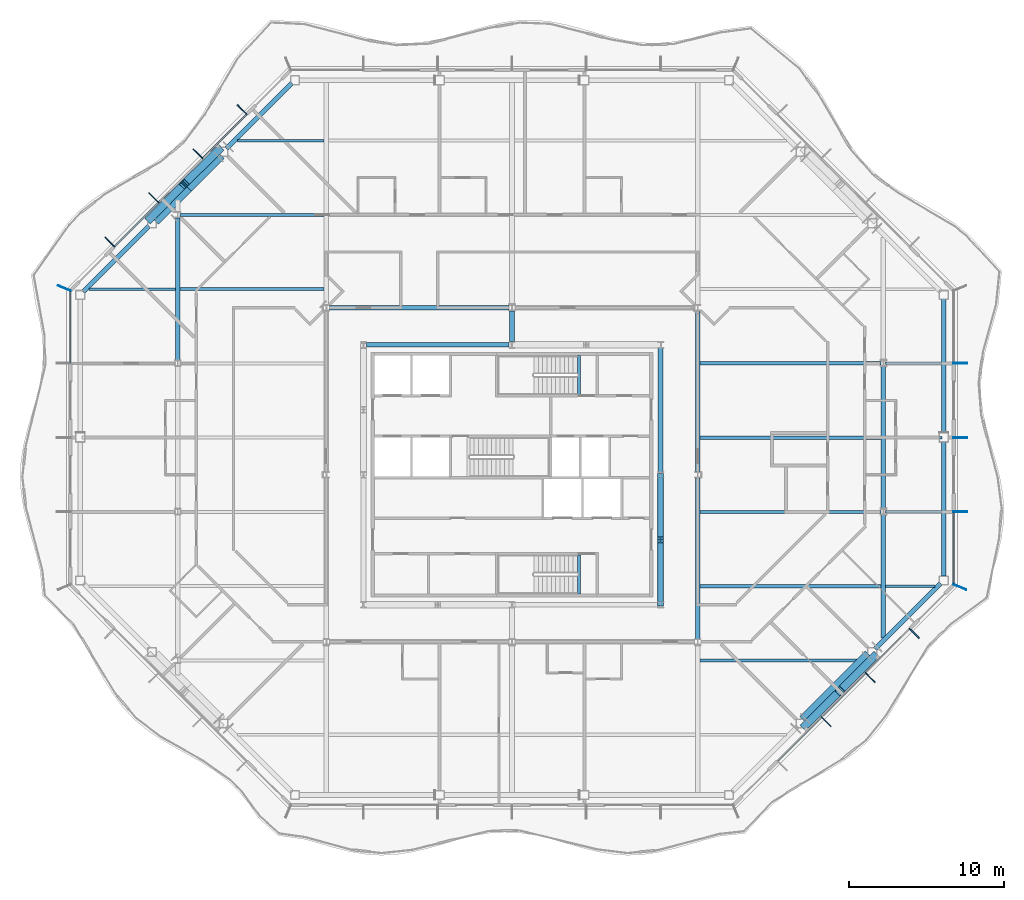
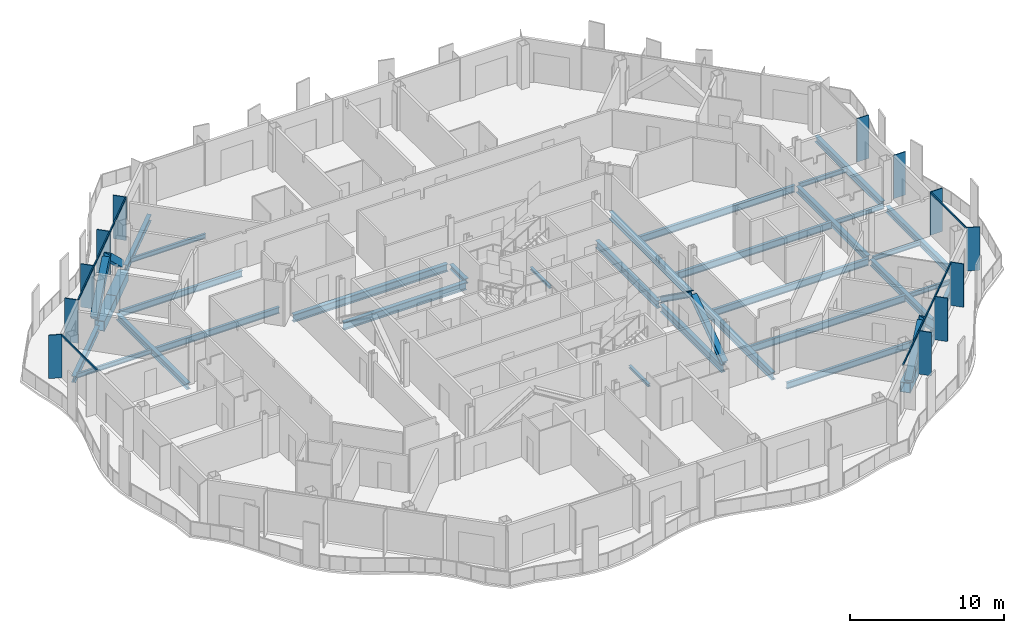
# One storey, part 4 of 21: 34 beams, 26 members, 4 elements without a shape of their own.
"""IFC4 building model written with IfcOpenShell, lengths in metres."""

from ifc_helpers import new_model, si_unit, direction, frame, origin, origin_2d, place, context, subcontext, project, spatial, rectangle, hollow_rectangle, i_section, extrude, material, material_profile, profile_set, type_object, element, aggregate, save


model = new_model("IFC4")

# Units and contexts
model_context = context("Model", 3, precision=1e-05, world=origin(), true_north=direction((0.0, 1.0)))
body_context = subcontext(model_context, "Body", "Model", "MODEL_VIEW")
ifc_project = project(units=[si_unit("LENGTHUNIT", "METRE"), si_unit("AREAUNIT", "SQUARE_METRE"), si_unit("VOLUMEUNIT", "CUBIC_METRE"), si_unit("PLANEANGLEUNIT", "RADIAN"), si_unit("MASSUNIT", "GRAM", prefix="KILO")], contexts=[model_context])

# Site, building, storey
site_placement = place(None, origin())
site = spatial("IfcSite", under=ifc_project, at=site_placement, CompositionType="ELEMENT")
building_placement = place(site_placement, origin())
building = spatial("IfcBuilding", under=site, at=building_placement, Name="Cairn Pilgrim Tower", CompositionType="ELEMENT")
storey_placement = place(building_placement, frame((0.0, 0.0, 157.800048828125)))
storey = spatial("IfcBuildingStorey", under=building, at=storey_placement, Name="L39", CompositionType="ELEMENT", Elevation=157.800048828125)

# Members
ifc_material_1 = material(Name="Structural steel S460M", Category="steel")
ifc_material_profile_1 = material_profile(ifc_material_1, hollow_rectangle(XDim=0.5, YDim=0.5, WallThickness=0.030029296875, at=origin_2d()), Name="BOX 500x500x30")
ifc_profile_set_1 = profile_set([ifc_material_profile_1], Name="Structural steel S460M")
member_type_1 = type_object("IfcMemberType", Name="BOX 500x500x30 BRACE", PredefinedType="BRACE", material=ifc_profile_set_1)
for number, where, z_axis, x_axis, name in (
    (1, (26.097900390625, -13.84326171875, 0.14990234375), (0.540432836476, 0.53283023714, 0.651171473306), (-0.702080283622, 0.712097799006, 0.0), "XB-SE2-SE3-1"),
    (2, (30.643310546875, -9.2978515625, 0.14990234375), (-0.53283023714, -0.540432836476, 0.651171473306), (0.712097799006, -0.702080283622, 0.0), "XB-SE2-SE3-2"),
    (3, (-11.697998046875, 23.443359375, 0.14990234375), (-0.540432836476, -0.53283023714, 0.651171473306), (0.702080283622, -0.712097799006, 0.0), "XB-NW2-NW3-1"),
    (4, (-16.243408203125, 18.89794921875, 0.14990234375), (0.532872437944, 0.54041586551, 0.651151024866), (-0.712058976351, 0.702119658034, 0.0), "XB-NW2-NW3-2"),
):
    element("IfcMember", number, at=place(storey_placement, frame(where, z_axis=z_axis, x_axis=x_axis)), inside=storey, type_object=member_type_1, Name=name, PredefinedType="BRACE", context=body_context, shape_type="SweptSolid", body=[
        extrude(hollow_rectangle(XDim=0.5, YDim=0.5, WallThickness=0.030029296875, at=origin_2d()), origin(), (0.0, 0.0, 1.0), 4.142578125),
    ])

# Beams
ifc_material_2 = material(Name="Structural steel S355J2", Category="steel")
ifc_material_profile_2 = material_profile(ifc_material_2, hollow_rectangle(XDim=0.699951171875, YDim=0.800048828125, WallThickness=0.0400390625, at=origin_2d()), Name="BOX 700x800x40")
ifc_profile_set_2 = profile_set([ifc_material_profile_2], Name="Structural steel S355J2")
beam_type_1 = type_object("IfcBeamType", Name="BOX 700x800x40 RING GIRDER", PredefinedType="SPANDREL", material=ifc_profile_set_2)
for number, where, z_axis, x_axis, name in (
    (5, (26.04248046875, -13.48486328125, -0.550048828125), (0.707066087907, 0.707147472125, 0.0), (-0.707147472125, 0.707066087907, 0.0), "RG2-SE2-SE3-1"),
    (6, (28.16357421875, -11.363525390625, -0.550048828125), (0.707147472125, 0.707066087907, 0.0), (-0.707066087907, 0.707147472125, 0.0), "RG2-SE2-SE3-2"),
    (7, (-11.642333984375, 23.084716796875, -0.550048828125), (-0.707147472125, -0.707066087907, 0.0), (0.707066087907, -0.707147472125, 0.0), "RG2-NW2-NW3-1"),
    (8, (-13.763671875, 20.963623046875, -0.550048828125), (-0.707066087907, -0.707147472125, 0.0), (0.707147472125, -0.707066087907, 0.0), "RG2-NW2-NW3-2"),
):
    element("IfcBeam", number, at=place(storey_placement, frame(where, z_axis=z_axis, x_axis=x_axis)), inside=storey, type_object=beam_type_1, Name=name, PredefinedType="SPANDREL", context=body_context, shape_type="SweptSolid", body=[
        extrude(hollow_rectangle(XDim=0.699951171875, YDim=0.800048828125, WallThickness=0.0400390625, at=origin_2d()), origin(), (0.0, 0.0, 1.0), 2.999755859375),
    ])

# Curtain wall, members
ifc_material_3 = material(Name="Aluminium alloy 6063-T6 bronze anodised with Bronze tinted laminated low-E glass 8+16+8.8", Category="aluminium")
curtain_wall_type_1 = type_object("IfcCurtainWallType", Name="CHAMFER CORNER CURTAIN WALL", PredefinedType="NOTDEFINED", material=ifc_material_3)
curtain_wall_1_placement = place(storey_placement, origin())
curtain_wall_1 = element("IfcCurtainWall", 9, at=curtain_wall_1_placement, inside=storey, type_object=curtain_wall_type_1, Name="Chamfer Corner Curtain Wall SE", PredefinedType="NOTDEFINED")
ifc_material_4 = material(Name="Aluminium alloy 6063-T6 bronze anodised", Category="aluminium")
ifc_material_profile_3 = material_profile(ifc_material_4, rectangle(XDim=0.89990234375, YDim=0.06005859375, at=origin_2d()), Name="FIN MULLION 60x900 BRONZE")
ifc_profile_set_3 = profile_set([ifc_material_profile_3], Name="Aluminium alloy 6063-T6 bronze anodised")
member_type_2 = type_object("IfcMemberType", Name="FIN MULLION 60x900 BRONZE", PredefinedType="MULLION", material=ifc_profile_set_3)
member_1_placement = place(storey_placement, frame((27.494873046875, -13.545654296875, 0.0), z_axis=(0.0, 0.0, 1.0), x_axis=(0.707106781187, -0.707106781187, 0.0)))
member_1 = element("IfcMember", 10, at=member_1_placement, type_object=member_type_2, Name="Fin mullion SE3", PredefinedType="MULLION", context=body_context, shape_type="SweptSolid", body=[
    extrude(rectangle(XDim=0.89990234375, YDim=0.06005859375, at=origin_2d()), origin(), (0.0, 0.0, 1.0), 3.449951171875),
])
member_2_placement = place(storey_placement, frame((30.345458984375, -10.69482421875, 0.0), z_axis=(0.0, 0.0, 1.0), x_axis=(0.707106781187, -0.707106781187, 0.0)))
member_2 = element("IfcMember", 11, at=member_2_placement, type_object=member_type_2, Name="Fin mullion SE4", PredefinedType="MULLION", context=body_context, shape_type="SweptSolid", body=[
    extrude(rectangle(XDim=0.89990234375, YDim=0.06005859375, at=origin_2d()), origin(), (0.0, 0.0, 1.0), 3.449951171875),
])
member_3_placement = place(storey_placement, frame((33.1962890625, -7.84423828125, 0.0), z_axis=(0.0, 0.0, 1.0), x_axis=(0.707106781187, -0.707106781187, 0.0)))
member_3 = element("IfcMember", 12, at=member_3_placement, type_object=member_type_2, Name="Fin mullion SE5", PredefinedType="MULLION", context=body_context, shape_type="SweptSolid", body=[
    extrude(rectangle(XDim=0.89990234375, YDim=0.06005859375, at=origin_2d()), origin(), (0.0, 0.0, 1.0), 3.449951171875),
])

curtain_wall_type_2 = type_object("IfcCurtainWallType", Name="TOWER STICK CURTAIN WALL EW", PredefinedType="NOTDEFINED", material=ifc_material_3)
curtain_wall_2_placement = place(storey_placement, origin())
curtain_wall_2 = element("IfcCurtainWall", 13, at=curtain_wall_2_placement, inside=storey, type_object=curtain_wall_type_2, Name="Tower Stick Curtain Wall Ew E", PredefinedType="NOTDEFINED")
member_4_placement = place(storey_placement, frame((36.137939453125, -4.857177734375, 0.0), z_axis=(0.0, 0.0, 1.0), x_axis=(0.923879532511, -0.382683432365, 0.0)))
member_4 = element("IfcMember", 14, at=member_4_placement, type_object=member_type_2, Name="Fin mullion E1", PredefinedType="MULLION", context=body_context, shape_type="SweptSolid", body=[
    extrude(rectangle(XDim=0.89990234375, YDim=0.06005859375, at=origin_2d()), origin(), (0.0, 0.0, 1.0), 3.449951171875),
])
member_5_placement = place(storey_placement, frame((36.169921875, 0.0, 0.0), z_axis=(0.0, 0.0, 1.0), x_axis=(1.0, 0.0, 0.0)))
member_5 = element("IfcMember", 15, at=member_5_placement, type_object=member_type_2, Name="Fin mullion E2", PredefinedType="MULLION", context=body_context, shape_type="SweptSolid", body=[
    extrude(rectangle(XDim=0.89990234375, YDim=0.06005859375, at=origin_2d()), origin(), (0.0, 0.0, 1.0), 3.449951171875),
])
member_6_placement = place(storey_placement, frame((36.169921875, 4.800048828125, 0.0), z_axis=(0.0, 0.0, 1.0), x_axis=(1.0, 0.0, 0.0)))
member_6 = element("IfcMember", 16, at=member_6_placement, type_object=member_type_2, Name="Fin mullion E3", PredefinedType="MULLION", context=body_context, shape_type="SweptSolid", body=[
    extrude(rectangle(XDim=0.89990234375, YDim=0.06005859375, at=origin_2d()), origin(), (0.0, 0.0, 1.0), 3.449951171875),
])
member_7_placement = place(storey_placement, frame((36.169921875, 9.60009765625, 0.0), z_axis=(0.0, 0.0, 1.0), x_axis=(1.0, 0.0, 0.0)))
member_7 = element("IfcMember", 17, at=member_7_placement, type_object=member_type_2, Name="Fin mullion E4", PredefinedType="MULLION", context=body_context, shape_type="SweptSolid", body=[
    extrude(rectangle(XDim=0.89990234375, YDim=0.06005859375, at=origin_2d()), origin(), (0.0, 0.0, 1.0), 3.449951171875),
])

curtain_wall_3_placement = place(storey_placement, origin())
curtain_wall_3 = element("IfcCurtainWall", 18, at=curtain_wall_3_placement, inside=storey, type_object=curtain_wall_type_1, Name="Chamfer Corner Curtain Wall NW", PredefinedType="NOTDEFINED")
member_8_placement = place(storey_placement, frame((-10.244140625, 25.996337890625, 0.0), z_axis=(0.0, 0.0, 1.0), x_axis=(-0.707106781187, 0.707106781187, 0.0)))
member_8 = element("IfcMember", 19, at=member_8_placement, type_object=member_type_2, Name="Fin mullion NW2", PredefinedType="MULLION", context=body_context, shape_type="SweptSolid", body=[
    extrude(rectangle(XDim=0.89990234375, YDim=0.06005859375, at=origin_2d()), origin(), (0.0, 0.0, 1.0), 3.449951171875),
])
member_9_placement = place(storey_placement, frame((-13.094970703125, 23.1455078125, 0.0), z_axis=(0.0, 0.0, 1.0), x_axis=(-0.707106781187, 0.707106781187, 0.0)))
member_9 = element("IfcMember", 20, at=member_9_placement, type_object=member_type_2, Name="Fin mullion NW3", PredefinedType="MULLION", context=body_context, shape_type="SweptSolid", body=[
    extrude(rectangle(XDim=0.89990234375, YDim=0.06005859375, at=origin_2d()), origin(), (0.0, 0.0, 1.0), 3.449951171875),
])
member_10_placement = place(storey_placement, frame((-15.945556640625, 20.294921875, 0.0), z_axis=(0.0, 0.0, 1.0), x_axis=(-0.707106781187, 0.707106781187, 0.0)))
member_10 = element("IfcMember", 21, at=member_10_placement, type_object=member_type_2, Name="Fin mullion NW4", PredefinedType="MULLION", context=body_context, shape_type="SweptSolid", body=[
    extrude(rectangle(XDim=0.89990234375, YDim=0.06005859375, at=origin_2d()), origin(), (0.0, 0.0, 1.0), 3.449951171875),
])
member_11_placement = place(storey_placement, frame((-18.79638671875, 17.444091796875, 0.0), z_axis=(0.0, 0.0, 1.0), x_axis=(-0.707106781187, 0.707106781187, 0.0)))
member_11 = element("IfcMember", 22, at=member_11_placement, type_object=member_type_2, Name="Fin mullion NW5", PredefinedType="MULLION", context=body_context, shape_type="SweptSolid", body=[
    extrude(rectangle(XDim=0.89990234375, YDim=0.06005859375, at=origin_2d()), origin(), (0.0, 0.0, 1.0), 3.449951171875),
])

# Curtain wall, member
curtain_wall_4_placement = place(storey_placement, origin())
curtain_wall_4 = element("IfcCurtainWall", 23, at=curtain_wall_4_placement, inside=storey, type_object=curtain_wall_type_2, Name="Tower Stick Curtain Wall Ew W", PredefinedType="NOTDEFINED")
member_12_placement = place(storey_placement, frame((-21.738037109375, 14.457275390625, 0.0), z_axis=(0.0, 0.0, 1.0), x_axis=(-0.923879532511, 0.382683432365, 0.0)))
member_12 = element("IfcMember", 24, at=member_12_placement, type_object=member_type_2, Name="Fin mullion W1", PredefinedType="MULLION", context=body_context, shape_type="SweptSolid", body=[
    extrude(rectangle(XDim=0.89990234375, YDim=0.06005859375, at=origin_2d()), origin(), (0.0, 0.0, 1.0), 3.449951171875),
])

# Members
ifc_material_profile_4 = material_profile(ifc_material_1, i_section(OverallWidth=0.408935546875, OverallDepth=0.425048828125, WebThickness=0.03271484375, FlangeThickness=0.052490234375, FilletRadius=0.014892578125, at=origin_2d()), Name="HD 400x421")
ifc_profile_set_4 = profile_set([ifc_material_profile_4], Name="Structural steel S460M")
member_type_3 = type_object("IfcMemberType", Name="HD 400x421 BRACE", PredefinedType="BRACE", material=ifc_profile_set_4)
member_13_placement = place(storey_placement, frame((16.800048828125, -5.95849609375, 0.099853515625), z_axis=(0.0, 0.814346882511, 0.580378458373), x_axis=(-1.0, 0.0, 0.0)))
element("IfcMember", 25, at=member_13_placement, inside=storey, type_object=member_type_3, Name="KB-2A", PredefinedType="BRACE", context=body_context, shape_type="SweptSolid", body=[
    extrude(i_section(OverallWidth=0.408935546875, OverallDepth=0.425048828125, WebThickness=0.03271484375, FlangeThickness=0.052490234375, FilletRadius=0.014892578125, at=origin_2d()), origin(), (0.0, 0.0, 1.0), 4.998291015625),
])
member_14_placement = place(storey_placement, frame((16.800048828125, 2.3583984375, 0.099853515625), z_axis=(0.0, -0.81433042856, 0.580401544727), x_axis=(1.0, 0.0, 0.0)))
element("IfcMember", 26, at=member_14_placement, inside=storey, type_object=member_type_3, Name="KB-2B", PredefinedType="BRACE", context=body_context, shape_type="SweptSolid", body=[
    extrude(i_section(OverallWidth=0.408935546875, OverallDepth=0.425048828125, WebThickness=0.03271484375, FlangeThickness=0.052490234375, FilletRadius=0.014892578125, at=origin_2d()), origin(), (0.0, 0.0, 1.0), 4.998046875),
])

# Beams
ifc_material_profile_5 = material_profile(ifc_material_2, i_section(OverallWidth=0.300048828125, OverallDepth=0.39990234375, WebThickness=0.013427734375, FlangeThickness=0.02392578125, FilletRadius=0.027099609375, at=origin_2d()), Name="HEB 400")
ifc_profile_set_5 = profile_set([ifc_material_profile_5], Name="Structural steel S355J2")
beam_type_2 = type_object("IfcBeamType", Name="HEB 400 GIRDER", PredefinedType="BEAM", material=ifc_profile_set_5)
beam_1_placement = place(storey_placement, frame((7.199951171875, 11.008056640625, -0.35009765625), z_axis=(0.0, 1.0, 0.0), x_axis=(-1.0, 0.0, 0.0)))
element("IfcBeam", 27, at=beam_1_placement, inside=storey, type_object=beam_type_2, Name="PG3-E2", PredefinedType="BEAM", context=body_context, shape_type="SweptSolid", body=[
    extrude(i_section(OverallWidth=0.300048828125, OverallDepth=0.39990234375, WebThickness=0.013427734375, FlangeThickness=0.02392578125, FilletRadius=0.027099609375, at=origin_2d()), origin(), (0.0, 0.0, 1.0), 1.992431640625),
])
ifc_material_profile_6 = material_profile(ifc_material_2, i_section(OverallWidth=0.300048828125, OverallDepth=0.5, WebThickness=0.014404296875, FlangeThickness=0.028076171875, FilletRadius=0.027099609375, at=origin_2d()), Name="HEB 500")
ifc_profile_set_6 = profile_set([ifc_material_profile_6], Name="Structural steel S355J2")
beam_type_3 = type_object("IfcBeamType", Name="HEB 500 GIRDER", PredefinedType="BEAM", material=ifc_profile_set_6)
beam_2_placement = place(storey_placement, frame((-14.39990234375, 9.799560546875, -0.400146484375), z_axis=(0.0, 1.0, 0.0), x_axis=(-1.0, 0.0, 0.0)))
element("IfcBeam", 28, at=beam_2_placement, inside=storey, type_object=beam_type_3, Name="PG1-3", PredefinedType="BEAM", context=body_context, shape_type="SweptSolid", body=[
    extrude(i_section(OverallWidth=0.300048828125, OverallDepth=0.5, WebThickness=0.014404296875, FlangeThickness=0.028076171875, FilletRadius=0.027099609375, at=origin_2d()), origin(), (0.0, 0.0, 1.0), 9.200927734375),
])
beam_3_placement = place(storey_placement, frame((31.199951171875, -8.14501953125, -0.400146484375), z_axis=(0.0, 1.0, 0.0), x_axis=(-1.0, 0.0, 0.0)))
element("IfcBeam", 29, at=beam_3_placement, inside=storey, type_object=beam_type_3, Name="PG5-1", PredefinedType="BEAM", context=body_context, shape_type="SweptSolid", body=[
    extrude(i_section(OverallWidth=0.300048828125, OverallDepth=0.5, WebThickness=0.014404296875, FlangeThickness=0.028076171875, FilletRadius=0.027099609375, at=origin_2d()), origin(), (0.0, 0.0, 1.0), 7.9404296875),
])
beam_4_placement = place(storey_placement, frame((31.199951171875, 0.20458984375, -0.400146484375), z_axis=(0.0, 1.0, 0.0), x_axis=(-1.0, 0.0, 0.0)))
element("IfcBeam", 30, at=beam_4_placement, inside=storey, type_object=beam_type_3, Name="PG5-2", PredefinedType="BEAM", context=body_context, shape_type="SweptSolid", body=[
    extrude(i_section(OverallWidth=0.300048828125, OverallDepth=0.5, WebThickness=0.014404296875, FlangeThickness=0.028076171875, FilletRadius=0.027099609375, at=origin_2d()), origin(), (0.0, 0.0, 1.0), 9.19091796875),
])
ifc_material_profile_7 = material_profile(ifc_material_2, i_section(OverallWidth=0.300048828125, OverallDepth=0.5, WebThickness=0.014404296875, FlangeThickness=0.028076171875, FilletRadius=0.027099609375, at=origin_2d()), Name="HEB 500")
ifc_profile_set_7 = profile_set([ifc_material_profile_7], Name="Structural steel S355J2")
beam_type_4 = type_object("IfcBeamType", Name="HEB 500 RING GIRDER", PredefinedType="SPANDREL", material=ifc_profile_set_7)
beam_5_placement = place(storey_placement, frame((30.666748046875, -8.860595703125, -0.400146484375), z_axis=(0.707106781187, 0.707106781187, 0.0), x_axis=(-0.707106781187, 0.707106781187, 0.0)))
element("IfcBeam", 31, at=beam_5_placement, inside=storey, type_object=beam_type_4, Name="RG2-SE3-E1", PredefinedType="SPANDREL", context=body_context, shape_type="SweptSolid", body=[
    extrude(i_section(OverallWidth=0.300048828125, OverallDepth=0.5, WebThickness=0.014404296875, FlangeThickness=0.028076171875, FilletRadius=0.027099609375, at=origin_2d()), origin(), (0.0, 0.0, 1.0), 5.999755859375),
])
beam_6_placement = place(storey_placement, frame((35.10009765625, -4.1572265625, -0.400146484375), z_axis=(0.0, 1.0, 0.0), x_axis=(-1.0, 0.0, 0.0)))
element("IfcBeam", 32, at=beam_6_placement, inside=storey, type_object=beam_type_4, Name="RG2-E1-E2", PredefinedType="SPANDREL", context=body_context, shape_type="SweptSolid", body=[
    extrude(i_section(OverallWidth=0.300048828125, OverallDepth=0.5, WebThickness=0.014404296875, FlangeThickness=0.028076171875, FilletRadius=0.027099609375, at=origin_2d()), origin(), (0.0, 0.0, 1.0), 8.687255859375),
])
beam_7_placement = place(storey_placement, frame((35.10009765625, 5.070068359375, -0.400146484375), z_axis=(0.0, 1.0, 0.0), x_axis=(-1.0, 0.0, 0.0)))
element("IfcBeam", 33, at=beam_7_placement, inside=storey, type_object=beam_type_4, Name="RG2-E2-NE1", PredefinedType="SPANDREL", context=body_context, shape_type="SweptSolid", body=[
    extrude(i_section(OverallWidth=0.300048828125, OverallDepth=0.5, WebThickness=0.014404296875, FlangeThickness=0.028076171875, FilletRadius=0.027099609375, at=origin_2d()), origin(), (0.0, 0.0, 1.0), 8.68701171875),
])
beam_8_placement = place(storey_placement, frame((-7.01806640625, 27.708984375, -0.400146484375), z_axis=(-0.707127127534, -0.707086434254, 0.0), x_axis=(0.707086434254, -0.707127127534, 0.0)))
element("IfcBeam", 34, at=beam_8_placement, inside=storey, type_object=beam_type_4, Name="RG2-NW1-NW2", PredefinedType="SPANDREL", context=body_context, shape_type="SweptSolid", body=[
    extrude(i_section(OverallWidth=0.300048828125, OverallDepth=0.5, WebThickness=0.014404296875, FlangeThickness=0.028076171875, FilletRadius=0.027099609375, at=origin_2d()), origin(), (0.0, 0.0, 1.0), 5.99951171875),
])
beam_9_placement = place(storey_placement, frame((-16.2666015625, 18.460693359375, -0.400146484375), z_axis=(-0.707086435425, -0.707127126363, 0.0), x_axis=(0.707127126363, -0.707086435425, 0.0)))
element("IfcBeam", 35, at=beam_9_placement, inside=storey, type_object=beam_type_4, Name="RG2-NW3-W1", PredefinedType="SPANDREL", context=body_context, shape_type="SweptSolid", body=[
    extrude(i_section(OverallWidth=0.300048828125, OverallDepth=0.5, WebThickness=0.014404296875, FlangeThickness=0.028076171875, FilletRadius=0.027099609375, at=origin_2d()), origin(), (0.0, 0.0, 1.0), 5.999755859375),
])
ifc_material_profile_8 = material_profile(ifc_material_2, i_section(OverallWidth=0.300048828125, OverallDepth=0.60009765625, WebThickness=0.015380859375, FlangeThickness=0.030029296875, FilletRadius=0.027099609375, at=origin_2d()), Name="HEB 600")
ifc_profile_set_8 = profile_set([ifc_material_profile_8], Name="Structural steel S355J2")
beam_type_5 = type_object("IfcBeamType", Name="HEB 600 CORE BEAM", PredefinedType="BEAM", material=ifc_profile_set_8)
for number, where, z_axis, x_axis, name in (
    (36, (16.800048828125, -5.812744140625, -0.449951171875), (0.0, 1.0, 0.0), (-1.0, 0.0, 0.0), "CB-3"),
    (37, (16.800048828125, 2.587158203125, -0.449951171875), (0.0, 1.0, 0.0), (-1.0, 0.0, 0.0), "CB-4"),
):
    element("IfcBeam", number, at=place(storey_placement, frame(where, z_axis=z_axis, x_axis=x_axis)), inside=storey, type_object=beam_type_5, Name=name, PredefinedType="BEAM", context=body_context, shape_type="SweptSolid", body=[
        extrude(i_section(OverallWidth=0.300048828125, OverallDepth=0.60009765625, WebThickness=0.015380859375, FlangeThickness=0.030029296875, FilletRadius=0.027099609375, at=origin_2d()), origin(), (0.0, 0.0, 1.0), 8.025634765625),
    ])
beam_10_placement = place(storey_placement, frame((7.0126953125, 10.800048828125, -0.449951171875), z_axis=(-1.0, 0.0, 0.0), x_axis=(0.0, -1.0, 0.0)))
element("IfcBeam", 38, at=beam_10_placement, inside=storey, type_object=beam_type_5, Name="CB-6", PredefinedType="BEAM", context=body_context, shape_type="SweptSolid", body=[
    extrude(i_section(OverallWidth=0.300048828125, OverallDepth=0.60009765625, WebThickness=0.015380859375, FlangeThickness=0.030029296875, FilletRadius=0.027099609375, at=origin_2d()), origin(), (0.0, 0.0, 1.0), 9.2255859375),
])
ifc_material_profile_9 = material_profile(ifc_material_2, i_section(OverallWidth=0.300048828125, OverallDepth=0.60009765625, WebThickness=0.015380859375, FlangeThickness=0.030029296875, FilletRadius=0.027099609375, at=origin_2d()), Name="HEB 600")
ifc_profile_set_9 = profile_set([ifc_material_profile_9], Name="Structural steel S355J2")
beam_type_6 = type_object("IfcBeamType", Name="HEB 600 GIRDER", PredefinedType="BEAM", material=ifc_profile_set_9)
for number, where, z_axis, x_axis, name in (
    (39, (19.199951171875, -8.200439453125, -0.449951171875), (0.0, 1.0, 0.0), (-1.0, 0.0, 0.0), "PG4-2"),
    (40, (19.199951171875, 2.599609375, -0.449951171875), (0.0, 1.0, 0.0), (-1.0, 0.0, 0.0), "PG4-3"),
):
    element("IfcBeam", number, at=place(storey_placement, frame(where, z_axis=z_axis, x_axis=x_axis)), inside=storey, type_object=beam_type_6, Name=name, PredefinedType="BEAM", context=body_context, shape_type="SweptSolid", body=[
        extrude(i_section(OverallWidth=0.300048828125, OverallDepth=0.60009765625, WebThickness=0.015380859375, FlangeThickness=0.030029296875, FilletRadius=0.027099609375, at=origin_2d()), origin(), (0.0, 0.0, 1.0), 10.40087890625),
    ])
ifc_material_profile_10 = material_profile(ifc_material_2, i_section(OverallWidth=0.300048828125, OverallDepth=0.60009765625, WebThickness=0.015380859375, FlangeThickness=0.030029296875, FilletRadius=0.027099609375, at=origin_2d()), Name="HEB 600")
ifc_profile_set_10 = profile_set([ifc_material_profile_10], Name="Structural steel S355J2")
beam_type_7 = type_object("IfcBeamType", Name="HEB 600 INNER GIRDER", PredefinedType="BEAM", material=ifc_profile_set_10)
beam_11_placement = place(storey_placement, frame((-4.6005859375, 13.199951171875, -0.449951171875), z_axis=(1.0, 0.0, 0.0), x_axis=(0.0, 1.0, 0.0)))
element("IfcBeam", 41, at=beam_11_placement, inside=storey, type_object=beam_type_7, Name="IG2-1", PredefinedType="BEAM", context=body_context, shape_type="SweptSolid", body=[
    extrude(i_section(OverallWidth=0.300048828125, OverallDepth=0.60009765625, WebThickness=0.015380859375, FlangeThickness=0.030029296875, FilletRadius=0.027099609375, at=origin_2d()), origin(), (0.0, 0.0, 1.0), 11.60107421875),
])
ifc_material_profile_11 = material_profile(ifc_material_2, i_section(OverallWidth=0.169921875, OverallDepth=0.360107421875, WebThickness=0.008056640625, FlangeThickness=0.0126953125, FilletRadius=0.01806640625, at=origin_2d()), Name="IPE 360")
ifc_profile_set_11 = profile_set([ifc_material_profile_11], Name="Structural steel S355J2")
beam_type_8 = type_object("IfcBeamType", Name="IPE 360 SECONDARY BEAM", PredefinedType="JOIST", material=ifc_profile_set_11)
beam_12_placement = place(storey_placement, frame((31.35009765625, -4.800048828125, -0.330078125), z_axis=(1.0, 0.0, 0.0), x_axis=(0.0, 1.0, 0.0)))
element("IfcBeam", 42, at=beam_12_placement, inside=storey, type_object=beam_type_8, Name="SB3-4", PredefinedType="JOIST", context=body_context, shape_type="SweptSolid", body=[
    extrude(i_section(OverallWidth=0.169921875, OverallDepth=0.360107421875, WebThickness=0.008056640625, FlangeThickness=0.0126953125, FilletRadius=0.01806640625, at=origin_2d()), origin(), (0.0, 0.0, 1.0), 3.195068359375),
])
for number, where, z_axis, x_axis, name in (
    (43, (31.35009765625, 0.0, -0.330078125), (1.0, 0.0, 0.0), (0.0, 1.0, 0.0), "SB4-4"),
    (44, (31.35009765625, 4.800048828125, -0.330078125), (1.0, 0.0, 0.0), (0.0, 1.0, 0.0), "SB5-4"),
    (45, (31.35009765625, 9.60009765625, -0.330078125), (1.0, 0.0, 0.0), (0.0, 1.0, 0.0), "SB6-4"),
):
    element("IfcBeam", number, at=place(storey_placement, frame(where, z_axis=z_axis, x_axis=x_axis)), inside=storey, type_object=beam_type_8, Name=name, PredefinedType="JOIST", context=body_context, shape_type="SweptSolid", body=[
        extrude(i_section(OverallWidth=0.169921875, OverallDepth=0.360107421875, WebThickness=0.008056640625, FlangeThickness=0.0126953125, FilletRadius=0.01806640625, at=origin_2d()), origin(), (0.0, 0.0, 1.0), 3.6298828125),
    ])
beam_13_placement = place(storey_placement, frame((-20.14501953125, 14.39990234375, -0.330078125), z_axis=(1.0, 0.0, 0.0), x_axis=(0.0, 1.0, 0.0)))
element("IfcBeam", 46, at=beam_13_placement, inside=storey, type_object=beam_type_8, Name="SB7-1", PredefinedType="JOIST", context=body_context, shape_type="SweptSolid", body=[
    extrude(i_section(OverallWidth=0.169921875, OverallDepth=0.360107421875, WebThickness=0.008056640625, FlangeThickness=0.0126953125, FilletRadius=0.01806640625, at=origin_2d()), origin(), (0.0, 0.0, 1.0), 5.594970703125),
])
beam_14_placement = place(storey_placement, frame((-10.545166015625, 24.0, -0.330078125), z_axis=(1.0, 0.0, 0.0), x_axis=(0.0, 1.0, 0.0)))
element("IfcBeam", 47, at=beam_14_placement, inside=storey, type_object=beam_type_8, Name="SB9-1", PredefinedType="JOIST", context=body_context, shape_type="SweptSolid", body=[
    extrude(i_section(OverallWidth=0.169921875, OverallDepth=0.360107421875, WebThickness=0.008056640625, FlangeThickness=0.0126953125, FilletRadius=0.01806640625, at=origin_2d()), origin(), (0.0, 0.0, 1.0), 5.59521484375),
])
ifc_material_profile_12 = material_profile(ifc_material_2, i_section(OverallWidth=0.199951171875, OverallDepth=0.5, WebThickness=0.01025390625, FlangeThickness=0.01611328125, FilletRadius=0.02099609375, at=origin_2d()), Name="IPE 500")
ifc_profile_set_12 = profile_set([ifc_material_profile_12], Name="Structural steel S355J2")
beam_type_9 = type_object("IfcBeamType", Name="IPE 500 SECONDARY BEAM", PredefinedType="JOIST", material=ifc_profile_set_12)
beam_15_placement = place(storey_placement, frame((19.35009765625, -9.60009765625, -0.400146484375), z_axis=(1.0, 0.0, 0.0), x_axis=(0.0, 1.0, 0.0)))
element("IfcBeam", 48, at=beam_15_placement, inside=storey, type_object=beam_type_9, Name="SB2-2", PredefinedType="JOIST", context=body_context, shape_type="SweptSolid", body=[
    extrude(i_section(OverallWidth=0.199951171875, OverallDepth=0.5, WebThickness=0.01025390625, FlangeThickness=0.01611328125, FilletRadius=0.02099609375, at=origin_2d()), origin(), (0.0, 0.0, 1.0), 10.39501953125),
])
for number, where, z_axis, x_axis, name in (
    (49, (-14.25, 14.39990234375, -0.400146484375), (1.0, 0.0, 0.0), (0.0, 1.0, 0.0), "SB7-2"),
    (50, (-14.25, 19.199951171875, -0.400146484375), (1.0, 0.0, 0.0), (0.0, 1.0, 0.0), "SB8-1"),
):
    element("IfcBeam", number, at=place(storey_placement, frame(where, z_axis=z_axis, x_axis=x_axis)), inside=storey, type_object=beam_type_9, Name=name, PredefinedType="JOIST", context=body_context, shape_type="SweptSolid", body=[
        extrude(i_section(OverallWidth=0.199951171875, OverallDepth=0.5, WebThickness=0.01025390625, FlangeThickness=0.01611328125, FilletRadius=0.02099609375, at=origin_2d()), origin(), (0.0, 0.0, 1.0), 9.300048828125),
    ])
ifc_material_profile_13 = material_profile(ifc_material_2, i_section(OverallWidth=0.2099609375, OverallDepth=0.550048828125, WebThickness=0.010986328125, FlangeThickness=0.01708984375, FilletRadius=0.02392578125, at=origin_2d()), Name="IPE 550")
ifc_profile_set_13 = profile_set([ifc_material_profile_13], Name="Structural steel S355J2")
beam_type_10 = type_object("IfcBeamType", Name="IPE 550 SECONDARY BEAM", PredefinedType="JOIST", material=ifc_profile_set_13)
for number, where, z_axis, x_axis, name in (
    (51, (19.35009765625, -4.800048828125, -0.425048828125), (1.0, 0.0, 0.0), (0.0, 1.0, 0.0), "SB3-3"),
    (52, (19.35009765625, 0.0, -0.425048828125), (1.0, 0.0, 0.0), (0.0, 1.0, 0.0), "SB4-3"),
    (53, (19.35009765625, 4.800048828125, -0.425048828125), (1.0, 0.0, 0.0), (0.0, 1.0, 0.0), "SB5-3"),
    (54, (19.35009765625, 9.60009765625, -0.425048828125), (1.0, 0.0, 0.0), (0.0, 1.0, 0.0), "SB6-3"),
):
    element("IfcBeam", number, at=place(storey_placement, frame(where, z_axis=z_axis, x_axis=x_axis)), inside=storey, type_object=beam_type_10, Name=name, PredefinedType="JOIST", context=body_context, shape_type="SweptSolid", body=[
        extrude(i_section(OverallWidth=0.2099609375, OverallDepth=0.550048828125, WebThickness=0.010986328125, FlangeThickness=0.01708984375, FilletRadius=0.02392578125, at=origin_2d()), origin(), (0.0, 0.0, 1.0), 11.699951171875),
    ])
ifc_material_profile_14 = material_profile(ifc_material_2, i_section(OverallWidth=0.199951171875, OverallDepth=0.199951171875, WebThickness=0.009033203125, FlangeThickness=0.014892578125, FilletRadius=0.01806640625, at=origin_2d()), Name="HE 200 B")
ifc_profile_set_14 = profile_set([ifc_material_profile_14], Name="Structural steel S355J2")
beam_type_11 = type_object("IfcBeamType", Name="STAIR LANDING BEAM HE 200 B", PredefinedType="BEAM", material=ifc_profile_set_14)
for number, where, z_axis, x_axis, name in (
    (55, (11.5244140625, -2.77490234375, -0.25), (0.0, -1.0, 0.0), (1.0, 0.0, 0.0), "STAIR LANDING BEAM LD-HE200B"),
    (56, (11.5244140625, 10.10009765625, -0.25), (0.0, -1.0, 0.0), (1.0, 0.0, 0.0), "STAIR LANDING BEAM LD-HE200B"),
):
    element("IfcBeam", number, at=place(storey_placement, frame(where, z_axis=z_axis, x_axis=x_axis)), inside=storey, type_object=beam_type_11, Name=name, PredefinedType="BEAM", context=body_context, shape_type="SweptSolid", body=[
        extrude(i_section(OverallWidth=0.199951171875, OverallDepth=0.199951171875, WebThickness=0.009033203125, FlangeThickness=0.014892578125, FilletRadius=0.01806640625, at=origin_2d()), origin(), (0.0, 0.0, 1.0), 2.525146484375),
    ])

# Member
ifc_material_profile_15 = material_profile(ifc_material_4, rectangle(XDim=0.080078125, YDim=0.14990234375, at=origin_2d()), Name="TRANSOM 80x150 BRONZE")
ifc_profile_set_15 = profile_set([ifc_material_profile_15], Name="Aluminium alloy 6063-T6 bronze anodised")
member_type_4 = type_object("IfcMemberType", Name="TRANSOM 80x150 BRONZE", PredefinedType="USERDEFINED", material=ifc_profile_set_15)
member_15_placement = place(storey_placement, frame((24.368408203125, -16.078125, 3.375), z_axis=(0.707106781187, 0.707106781187, 0.0), x_axis=(-0.707106781187, 0.707106781187, 0.0)))
member_15 = element("IfcMember", 57, at=member_15_placement, type_object=member_type_4, Name="Transom SE2", ObjectType="TRANSOM", PredefinedType="USERDEFINED", context=body_context, shape_type="SweptSolid", body=[
    extrude(rectangle(XDim=0.080078125, YDim=0.14990234375, at=origin_2d()), origin(), (0.0, 0.0, 1.0), 3.9716796875),
])

member_16_placement = place(storey_placement, frame((27.218994140625, -13.227294921875, 3.375), z_axis=(0.70713751761, 0.707076043427, 0.0), x_axis=(-0.707076043427, 0.70713751761, 0.0)))
member_16 = element("IfcMember", 58, at=member_16_placement, type_object=member_type_4, Name="Transom SE3", ObjectType="TRANSOM", PredefinedType="USERDEFINED", context=body_context, shape_type="SweptSolid", body=[
    extrude(rectangle(XDim=0.080078125, YDim=0.14990234375, at=origin_2d()), origin(), (0.0, 0.0, 1.0), 3.971435546875),
])

member_17_placement = place(storey_placement, frame((30.06982421875, -10.376708984375, 3.375), z_axis=(0.707106781187, 0.707106781187, 0.0), x_axis=(-0.707106781187, 0.707106781187, 0.0)))
member_17 = element("IfcMember", 59, at=member_17_placement, type_object=member_type_4, Name="Transom SE4", ObjectType="TRANSOM", PredefinedType="USERDEFINED", context=body_context, shape_type="SweptSolid", body=[
    extrude(rectangle(XDim=0.080078125, YDim=0.14990234375, at=origin_2d()), origin(), (0.0, 0.0, 1.0), 3.9716796875),
])

aggregate(curtain_wall_1, [member_1, member_2, member_3, member_15, member_16, member_17])

member_18_placement = place(storey_placement, frame((35.75, -4.656494140625, 3.375), z_axis=(0.0, 1.0, 0.0), x_axis=(-1.0, 0.0, 0.0)))
member_18 = element("IfcMember", 60, at=member_18_placement, type_object=member_type_4, Name="Transom E1", ObjectType="TRANSOM", PredefinedType="USERDEFINED", context=body_context, shape_type="SweptSolid", body=[
    extrude(rectangle(XDim=0.080078125, YDim=0.14990234375, at=origin_2d()), origin(), (0.0, 0.0, 1.0), 4.62646484375),
])

aggregate(curtain_wall_2, [member_4, member_5, member_6, member_7, member_18])

member_19_placement = place(storey_placement, frame((-9.96826171875, 25.677978515625, 3.375), z_axis=(-0.70713751761, -0.707076043427, 0.0), x_axis=(0.707076043427, -0.70713751761, 0.0)))
member_19 = element("IfcMember", 61, at=member_19_placement, type_object=member_type_4, Name="Transom NW2", ObjectType="TRANSOM", PredefinedType="USERDEFINED", context=body_context, shape_type="SweptSolid", body=[
    extrude(rectangle(XDim=0.080078125, YDim=0.14990234375, at=origin_2d()), origin(), (0.0, 0.0, 1.0), 3.971435546875),
])

member_20_placement = place(storey_placement, frame((-12.819091796875, 22.827392578125, 3.375), z_axis=(-0.707106781187, -0.707106781187, 0.0), x_axis=(0.707106781187, -0.707106781187, 0.0)))
member_20 = element("IfcMember", 62, at=member_20_placement, type_object=member_type_4, Name="Transom NW3", ObjectType="TRANSOM", PredefinedType="USERDEFINED", context=body_context, shape_type="SweptSolid", body=[
    extrude(rectangle(XDim=0.080078125, YDim=0.14990234375, at=origin_2d()), origin(), (0.0, 0.0, 1.0), 3.9716796875),
])

member_21_placement = place(storey_placement, frame((-15.669677734375, 19.9765625, 3.375), z_axis=(-0.70713751761, -0.707076043427, 0.0), x_axis=(0.707076043427, -0.70713751761, 0.0)))
member_21 = element("IfcMember", 63, at=member_21_placement, type_object=member_type_4, Name="Transom NW4", ObjectType="TRANSOM", PredefinedType="USERDEFINED", context=body_context, shape_type="SweptSolid", body=[
    extrude(rectangle(XDim=0.080078125, YDim=0.14990234375, at=origin_2d()), origin(), (0.0, 0.0, 1.0), 3.971435546875),
])

aggregate(curtain_wall_3, [member_8, member_9, member_10, member_11, member_19, member_20, member_21])

member_22_placement = place(storey_placement, frame((-21.35009765625, 14.25634765625, 3.375), z_axis=(0.0, -1.0, 0.0), x_axis=(1.0, 0.0, 0.0)))
member_22 = element("IfcMember", 64, at=member_22_placement, type_object=member_type_4, Name="Transom W1", ObjectType="TRANSOM", PredefinedType="USERDEFINED", context=body_context, shape_type="SweptSolid", body=[
    extrude(rectangle(XDim=0.080078125, YDim=0.14990234375, at=origin_2d()), origin(), (0.0, 0.0, 1.0), 4.62646484375),
])

aggregate(curtain_wall_4, [member_12, member_22])

save(model, "model.ifc")
